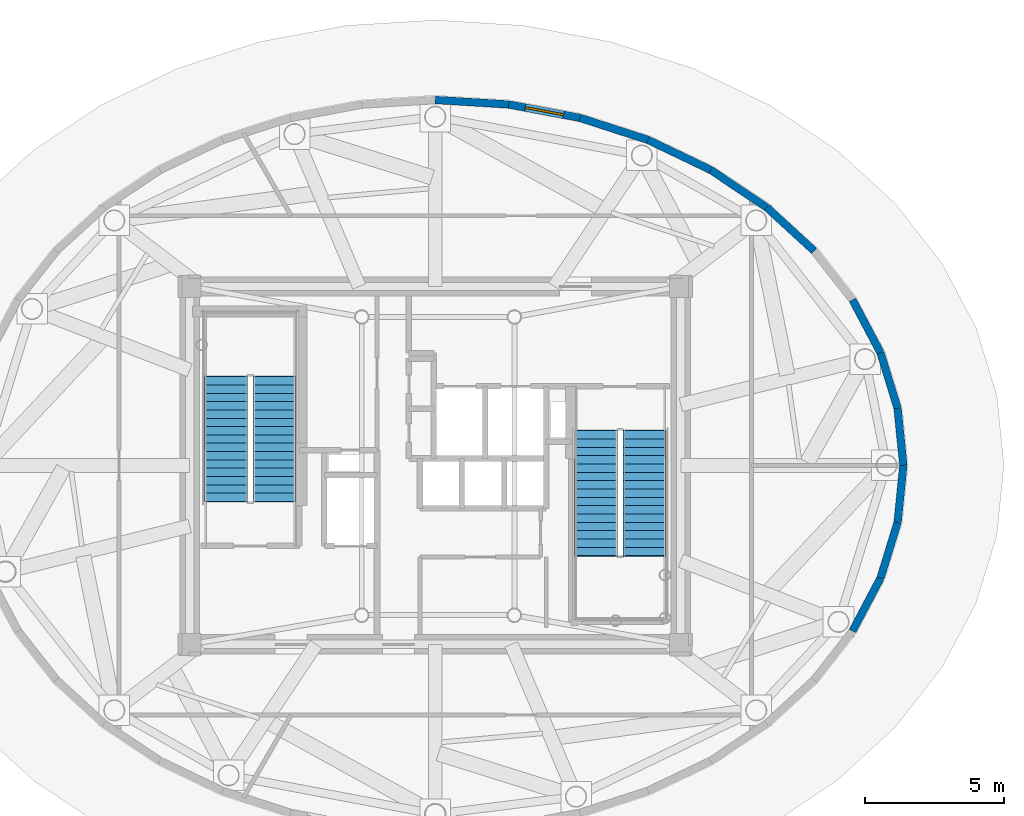
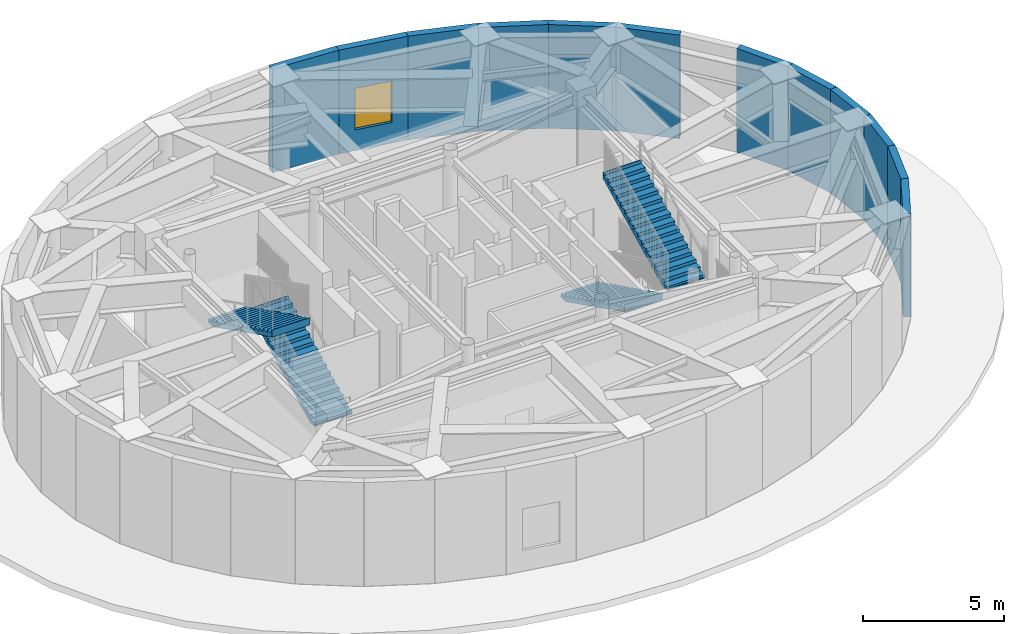
# One storey, part 5 of 11: 12 walls, 4 stair flights, 1 window, 1 opening, 2 elements without a shape of their own.
"""IFC4 building model written with IfcOpenShell, lengths in metres."""

from ifc_helpers import new_model, si_unit, direction, frame, frame_2d, origin, origin_2d, place, context, subcontext, project, spatial, polyline, rectangle, outline, extrude, source, transform, mapped, material, layer, layer_set, type_object, element, fill, aggregate, save


model = new_model("IFC4")

# Units and contexts
model_context = context("Model", 3, precision=1e-05, world=origin(), true_north=direction((0.0, 1.0)))
body_context = subcontext(model_context, "Body", "Model", "MODEL_VIEW")
ifc_project = project(units=[si_unit("LENGTHUNIT", "METRE"), si_unit("AREAUNIT", "SQUARE_METRE"), si_unit("VOLUMEUNIT", "CUBIC_METRE"), si_unit("PLANEANGLEUNIT", "RADIAN"), si_unit("MASSUNIT", "GRAM", prefix="KILO")], contexts=[model_context])

# Site, building, storey
site_placement = place(None, origin())
site = spatial("IfcSite", under=ifc_project, at=site_placement, CompositionType="ELEMENT")
building_placement = place(site_placement, origin())
building = spatial("IfcBuilding", under=site, at=building_placement, Name="Linh Dai School and Residence Tower", CompositionType="ELEMENT")
storey_placement = place(building_placement, frame((0.0, 0.0, 363.60009765625)))
storey = spatial("IfcBuildingStorey", under=building, at=storey_placement, Name="L90", CompositionType="ELEMENT", Elevation=363.60009765625)

# Walls
ifc_material_1 = material(Name="Concrete B45 (C35/45)", Category="concrete")
ifc_layer = layer(ifc_material_1, 0.280029296875)
ifc_layer_set = layer_set([ifc_layer], Name="Concrete B45 (C35/45)")
wall_type = type_object("IfcWallType", Name="EW-DRM-280", PredefinedType="SOLIDWALL", material=ifc_layer_set)
wall_1_placement = place(storey_placement, frame((52.668212890625, 29.0556640625, 0.0), z_axis=(0.0, 0.0, 1.0), x_axis=(0.100088694252, -0.994978519006, 0.0)))
element("IfcWall", 1, at=wall_1_placement, inside=storey, type_object=wall_type, Name="L90 Terracotta Exterior Wall 01", PredefinedType="SOLIDWALL", context=body_context, shape_type="SweptSolid", body=[
    extrude(rectangle(XDim=2.06591796875, YDim=0.280029296875, at=frame_2d((1.032958984375, 0.0))), origin(), (0.0, 0.0, 1.0), 4.5),
])
wall_2_placement = place(storey_placement, frame((52.052490234375, 31.06201171875, 0.0), z_axis=(0.0, 0.0, 1.0), x_axis=(0.293382762388, -0.955995059994, 0.0)))
element("IfcWall", 2, at=wall_2_placement, inside=storey, type_object=wall_type, Name="L90 Terracotta Exterior Wall 02", PredefinedType="SOLIDWALL", context=body_context, shape_type="SweptSolid", body=[
    extrude(rectangle(XDim=2.0986328125, YDim=0.280029296875, at=frame_2d((1.04931640625, 0.0))), origin(), (0.0, 0.0, 1.0), 4.5),
])
wall_3_placement = place(storey_placement, frame((51.04248046875, 32.969970703125, 0.0), z_axis=(0.0, 0.0, 1.0), x_axis=(0.467856543752, -0.883804420938, 0.0)))
element("IfcWall", 3, at=wall_3_placement, inside=storey, type_object=wall_type, Name="L90 Terracotta Exterior Wall 03", PredefinedType="SOLIDWALL", context=body_context, shape_type="SweptSolid", body=[
    extrude(rectangle(XDim=2.15869140625, YDim=0.280029296875, at=frame_2d((1.079345703125, 0.0))), origin(), (0.0, 0.0, 1.0), 4.5),
])
wall_4_placement = place(storey_placement, frame((47.94384765625, 36.30615234375, 0.0), z_axis=(0.0, 0.0, 1.0), x_axis=(0.737345511847, -0.675515800081, 0.0)))
element("IfcWall", 4, at=wall_4_placement, inside=storey, type_object=wall_type, Name="L90 Terracotta Exterior Wall 05", PredefinedType="SOLIDWALL", context=body_context, shape_type="SweptSolid", body=[
    extrude(rectangle(XDim=2.32958984375, YDim=0.280029296875, at=frame_2d((1.164794921875, 0.0))), origin(), (0.0, 0.0, 1.0), 4.5),
])
wall_5_placement = place(storey_placement, frame((45.9306640625, 37.6513671875, 0.0), z_axis=(0.0, 0.0, 1.0), x_axis=(0.831460345356, -0.555584101735, 0.0)))
element("IfcWall", 5, at=wall_5_placement, inside=storey, type_object=wall_type, Name="L90 Terracotta Exterior Wall 06", PredefinedType="SOLIDWALL", context=body_context, shape_type="SweptSolid", body=[
    extrude(rectangle(XDim=2.421142578125, YDim=0.280029296875, at=frame_2d((1.21044921875, 0.0))), origin(), (0.0, 0.0, 1.0), 4.5),
])
wall_6_placement = place(storey_placement, frame((43.671630859375, 38.734375, 0.0), z_axis=(0.0, 0.0, 1.0), x_axis=(0.901729772184, -0.432300147996, 0.0)))
element("IfcWall", 6, at=wall_6_placement, inside=storey, type_object=wall_type, Name="L90 Terracotta Exterior Wall 07", PredefinedType="SOLIDWALL", context=body_context, shape_type="SweptSolid", body=[
    extrude(rectangle(XDim=2.505126953125, YDim=0.280029296875, at=frame_2d((1.25244140625, 0.0))), origin(), (0.0, 0.0, 1.0), 4.5),
])
wall_7_placement = place(storey_placement, frame((41.222412109375, 39.52783203125, 0.0), z_axis=(0.0, 0.0, 1.0), x_axis=(0.951323551321, -0.308193933592, 0.0)))
element("IfcWall", 7, at=wall_7_placement, inside=storey, type_object=wall_type, Name="L90 Terracotta Exterior Wall 08", PredefinedType="SOLIDWALL", context=body_context, shape_type="SweptSolid", body=[
    extrude(rectangle(XDim=2.574462890625, YDim=0.280029296875, at=frame_2d((1.287109375, 0.0))), origin(), (0.0, 0.0, 1.0), 4.5),
])

# Wall, opening, window
wall_8_placement = place(storey_placement, frame((38.64404296875, 40.01220703125, 0.0), z_axis=(0.0, 0.0, 1.0), x_axis=(0.982807863021, -0.184631266001, 0.0)))
wall_8 = element("IfcWall", 8, at=wall_8_placement, inside=storey, type_object=wall_type, Name="L90 Terracotta Exterior Wall 09", PredefinedType="SOLIDWALL", context=body_context, shape_type="SweptSolid", body=[
    extrude(rectangle(XDim=2.62353515625, YDim=0.280029296875, at=frame_2d((1.311767578125, 0.0))), origin(), (0.0, 0.0, 1.0), 4.5),
])
opening_placement = place(wall_8_placement, frame((0.61181640625, 0.0, 0.89990234375)))
opening = element("IfcOpeningElement", 9, at=opening_placement, cuts=wall_8, Name="Opening W5", PredefinedType="OPENING", context=body_context, shape_type="SweptSolid", body=[
    extrude(rectangle(XDim=1.39990234375, YDim=1.800048828125, at=origin_2d()), frame((0.699951171875, 0.14990234375, 0.89990234375), z_axis=(0.0, -1.0, 0.0), x_axis=(1.0, 0.0, 0.0)), (0.0, 0.0, 1.0), 0.300048828125),
])
ifc_material_2 = material(Name="Anodised Aluminium Weather Louvre", Category="aluminium")
window_type = type_object("IfcWindowType", Name="WN-LV-2000x1800", PartitioningType="SINGLE_PANEL", PredefinedType="USERDEFINED", material=ifc_material_2)
shared_shape_1 = source(origin(), body_context, "Body", "SweptSolid", [
    extrude(rectangle(XDim=1.39990234375, YDim=1.800048828125, at=origin_2d()), frame((0.699951171875, 0.030029296875, 0.89990234375), z_axis=(0.0, -1.0, 0.0), x_axis=(1.0, 0.0, 0.0)), (0.0, 0.0, 1.0), 0.06005859375),
])
window_placement = place(opening_placement, origin())
window = element("IfcWindow", 10, at=window_placement, inside=storey, type_object=window_type, Name="L90 Plant Weather Louvre 09", ObjectType="LOUVRE VENT", OverallHeight=1.800048828125, OverallWidth=1.39990234375, PartitioningType="SINGLE_PANEL", PredefinedType="USERDEFINED", context=body_context, shape_type="MappedRepresentation", body=[
    mapped(shared_shape_1, transform((0.0, 0.0, 0.0), x_axis=(1.0, 0.0, 0.0), y_axis=(0.0, 1.0, 0.0), z_axis=(0.0, 0.0, 1.0), scale=1.0)),
])
fill(opening, window)

# Walls
wall_9_placement = place(storey_placement, frame((36.0, 40.175048828125, 0.0), z_axis=(0.0, 0.0, 1.0), x_axis=(0.998108826348, -0.061471707034, 0.0)))
element("IfcWall", 11, at=wall_9_placement, inside=storey, type_object=wall_type, Name="L90 Terracotta Exterior Wall 10", PredefinedType="SOLIDWALL", context=body_context, shape_type="SweptSolid", body=[
    extrude(rectangle(XDim=2.649169921875, YDim=0.280029296875, at=frame_2d((1.32470703125, 0.0))), origin(), (0.0, 0.0, 1.0), 4.5),
])
wall_10_placement = place(storey_placement, frame((52.052490234375, 22.93798828125, 0.0), z_axis=(0.0, 0.0, 1.0), x_axis=(-0.467856543752, -0.883804420938, 0.0)))
element("IfcWall", 12, at=wall_10_placement, inside=storey, type_object=wall_type, Name="L90 Terracotta Exterior Wall 38", PredefinedType="SOLIDWALL", context=body_context, shape_type="SweptSolid", body=[
    extrude(rectangle(XDim=2.15869140625, YDim=0.280029296875, at=frame_2d((1.079345703125, 0.0))), origin(), (0.0, 0.0, 1.0), 4.5),
])
wall_11_placement = place(storey_placement, frame((52.668212890625, 24.9443359375, 0.0), z_axis=(0.0, 0.0, 1.0), x_axis=(-0.293382762388, -0.955995059994, 0.0)))
element("IfcWall", 13, at=wall_11_placement, inside=storey, type_object=wall_type, Name="L90 Terracotta Exterior Wall 39", PredefinedType="SOLIDWALL", context=body_context, shape_type="SweptSolid", body=[
    extrude(rectangle(XDim=2.0986328125, YDim=0.280029296875, at=frame_2d((1.04931640625, 0.0))), origin(), (0.0, 0.0, 1.0), 4.5),
])
wall_12_placement = place(storey_placement, frame((52.875, 27.0, 0.0), z_axis=(0.0, 0.0, 1.0), x_axis=(-0.100088694252, -0.994978519006, 0.0)))
element("IfcWall", 14, at=wall_12_placement, inside=storey, type_object=wall_type, Name="L90 Terracotta Exterior Wall 40", PredefinedType="SOLIDWALL", context=body_context, shape_type="SweptSolid", body=[
    extrude(rectangle(XDim=2.06591796875, YDim=0.280029296875, at=frame_2d((1.032958984375, 0.0))), origin(), (0.0, 0.0, 1.0), 4.5),
])

# Stair, stair flights
stair_type = type_object("IfcStairType", Name="ST-DOG-1550-R1500", PredefinedType="HALF_TURN_STAIR", material=ifc_material_1)
stair_1_placement = place(storey_placement, origin())
stair_1 = element("IfcStair", 15, at=stair_1_placement, inside=storey, type_object=stair_type, Name="L90 Core Smokeproof Exit Stair ST1", PredefinedType="HALF_TURN_STAIR")
stair_flight_type = type_object("IfcStairFlightType", Name="STF-STR-1550-R1500", PredefinedType="STRAIGHT", material=ifc_material_1)
shared_shape_2 = source(origin(), body_context, "Body", "SweptSolid", [
    extrude(outline(polyline([(-0.02490234375, 0.0), (-0.02490234375, 0.06005859375), (0.0, 0.06005859375), (0.0, 0.14990234375), (0.300048828125, 0.14990234375), (0.300048828125, 0.300048828125), (0.60009765625, 0.300048828125), (0.60009765625, 0.449951171875), (0.89990234375, 0.449951171875), (0.89990234375, 0.60009765625), (1.199951171875, 0.60009765625), (1.199951171875, 0.75), (1.5, 0.75), (1.5, 0.89990234375), (1.800048828125, 0.89990234375), (1.800048828125, 1.050048828125), (2.10009765625, 1.050048828125), (2.10009765625, 1.199951171875), (2.39990234375, 1.199951171875), (2.39990234375, 1.35009765625), (2.699951171875, 1.35009765625), (2.699951171875, 1.5), (3.0, 1.5), (3.0, 1.64990234375), (3.300048828125, 1.64990234375), (3.300048828125, 1.800048828125), (3.60009765625, 1.800048828125), (3.60009765625, 1.949951171875), (3.89990234375, 1.949951171875), (3.89990234375, 2.10009765625), (4.199951171875, 2.10009765625), (4.199951171875, 2.25), (4.5, 2.25), (4.5, 2.39990234375), (4.52490234375, 2.39990234375), (4.52490234375, 2.08251953125), (4.5, 2.08251953125), (0.335205078125, 0.0), (-0.02490234375, 0.0)])), frame((0.0, 0.77490234375, 0.0), z_axis=(0.0, -1.0, 0.0), x_axis=(1.0, 0.0, 0.0)), (0.0, 0.0, 1.0), 1.550048828125),
])
stair_flight_1_placement = place(storey_placement, frame((30.205078125, 25.699951171875, 0.0), z_axis=(0.0, 0.0, 1.0), x_axis=(0.0, 1.0, 0.0)))
stair_flight_1 = element("IfcStairFlight", 16, at=stair_flight_1_placement, type_object=stair_flight_type, Name="ST1 flight 1", NumberOfRisers=16, NumberOfTreads=15, PredefinedType="STRAIGHT", RiserHeight=0.15, TreadLength=0.3, context=body_context, shape_type="MappedRepresentation", body=[
    mapped(shared_shape_2, transform((0.0, 0.0, 0.0), x_axis=(1.0, 0.0, 0.0), y_axis=(0.0, 1.0, 0.0), z_axis=(0.0, 0.0, 1.0), scale=1.0)),
])
stair_flight_2_placement = place(storey_placement, frame((28.455078125, 30.199951171875, 2.39990234375), z_axis=(0.0, 0.0, 1.0), x_axis=(0.0, -1.0, 0.0)))
stair_flight_2 = element("IfcStairFlight", 17, at=stair_flight_2_placement, type_object=stair_flight_type, Name="ST1 flight 2", NumberOfRisers=16, NumberOfTreads=15, PredefinedType="STRAIGHT", RiserHeight=0.15, TreadLength=0.3, context=body_context, shape_type="MappedRepresentation", body=[
    mapped(shared_shape_2, transform((0.0, 0.0, 0.0), x_axis=(1.0, 0.0, 0.0), y_axis=(0.0, 1.0, 0.0), z_axis=(0.0, 0.0, 1.0), scale=1.0)),
])
aggregate(stair_1, [stair_flight_1, stair_flight_2])

stair_2_placement = place(storey_placement, origin())
stair_2 = element("IfcStair", 18, at=stair_2_placement, inside=storey, type_object=stair_type, Name="L90 Core Smokeproof Exit Stair ST2", PredefinedType="HALF_TURN_STAIR")
stair_flight_3_placement = place(storey_placement, frame((41.794921875, 28.25, 0.0), z_axis=(0.0, 0.0, 1.0), x_axis=(0.0, -1.0, 0.0)))
stair_flight_3 = element("IfcStairFlight", 19, at=stair_flight_3_placement, type_object=stair_flight_type, Name="ST2 flight 1", NumberOfRisers=16, NumberOfTreads=15, PredefinedType="STRAIGHT", RiserHeight=0.15, TreadLength=0.3, context=body_context, shape_type="MappedRepresentation", body=[
    mapped(shared_shape_2, transform((0.0, 0.0, 0.0), x_axis=(1.0, 0.0, 0.0), y_axis=(0.0, 1.0, 0.0), z_axis=(0.0, 0.0, 1.0), scale=1.0)),
])
stair_flight_4_placement = place(storey_placement, frame((43.544921875, 23.75, 2.39990234375), z_axis=(0.0, 0.0, 1.0), x_axis=(0.0, 1.0, 0.0)))
stair_flight_4 = element("IfcStairFlight", 20, at=stair_flight_4_placement, type_object=stair_flight_type, Name="ST2 flight 2", NumberOfRisers=16, NumberOfTreads=15, PredefinedType="STRAIGHT", RiserHeight=0.15, TreadLength=0.3, context=body_context, shape_type="MappedRepresentation", body=[
    mapped(shared_shape_2, transform((0.0, 0.0, 0.0), x_axis=(1.0, 0.0, 0.0), y_axis=(0.0, 1.0, 0.0), z_axis=(0.0, 0.0, 1.0), scale=1.0)),
])
aggregate(stair_2, [stair_flight_3, stair_flight_4])

save(model, "model.ifc")
